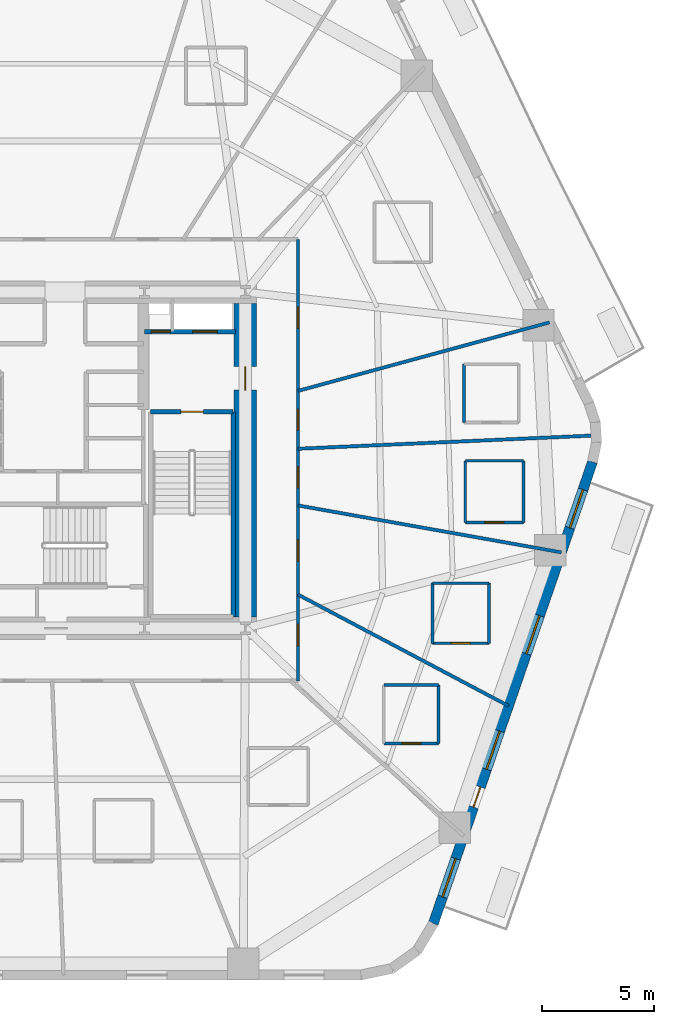
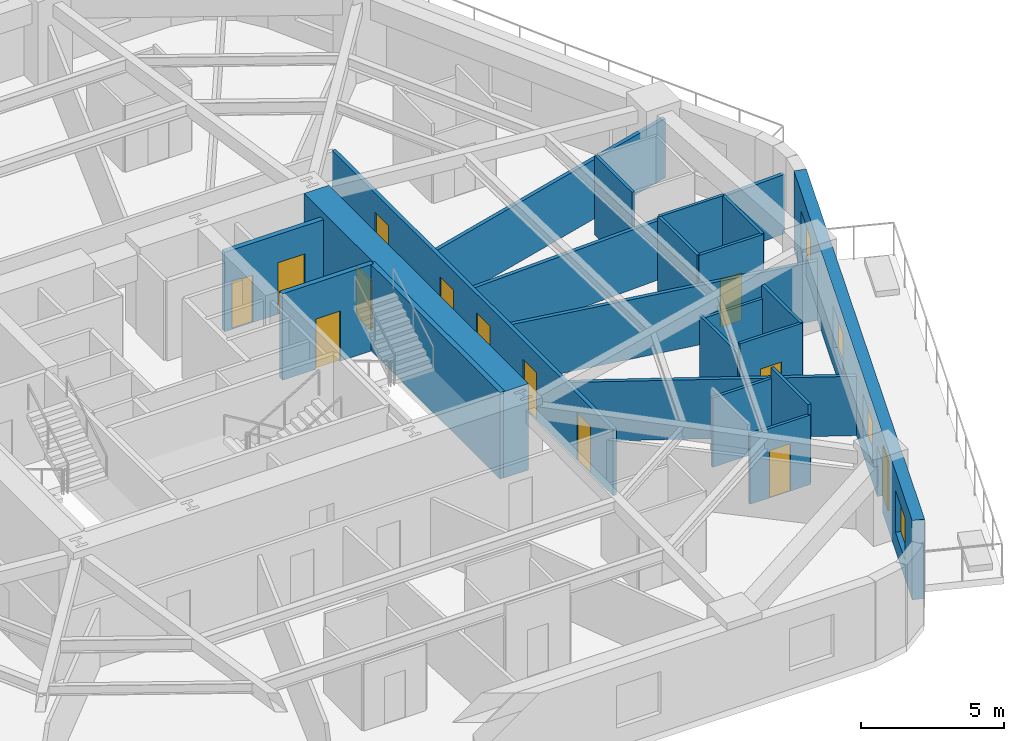
# One storey, part 5 of 10: 22 walls, 13 doors, 4 windows, 17 openings.
"""IFC4 building model written with IfcOpenShell, lengths in metres."""

from ifc_helpers import new_model, si_unit, direction, frame, frame_2d, origin, place, context, subcontext, project, spatial, rectangle, extrude, material, layer, layer_set, type_object, element, fill, save


model = new_model("IFC4")

# Units and contexts
model_context = context("Model", 3, precision=1e-05, world=origin(), true_north=direction((0.0, 1.0)))
body_context = subcontext(model_context, "Body", "Model", "MODEL_VIEW")
ifc_project = project(units=[si_unit("LENGTHUNIT", "METRE"), si_unit("AREAUNIT", "SQUARE_METRE"), si_unit("VOLUMEUNIT", "CUBIC_METRE"), si_unit("PLANEANGLEUNIT", "RADIAN"), si_unit("MASSUNIT", "GRAM", prefix="KILO")], contexts=[model_context])

# Site, building, storey
site_placement = place(None, origin())
site = spatial("IfcSite", under=ifc_project, at=site_placement, CompositionType="ELEMENT")
building_placement = place(site_placement, origin())
building = spatial("IfcBuilding", under=site, at=building_placement, Name="Kilnhurst Terrace Hotel", CompositionType="ELEMENT")
storey_placement = place(building_placement, frame((0.0, 0.0, 45.300048828125)))
storey = spatial("IfcBuildingStorey", under=building, at=storey_placement, Name="L09", CompositionType="ELEMENT", Elevation=45.300048828125)

# Wall, openings, door, windows
ifc_material_1 = material(Name="Precast concrete C40/50", Category="concrete")
ifc_layer_1 = layer(ifc_material_1, 0.449951171875, Name="Precast concrete C40/50")
ifc_layer_set_1 = layer_set([ifc_layer_1], Name="Precast concrete C40/50")
wall_type_1 = type_object("IfcWallType", Name="WL-BRK-450", PredefinedType="SOLIDWALL", material=ifc_layer_set_1)
wall_1_placement = place(storey_placement, frame((17.3896484375, -20.678466796875, 0.0), z_axis=(0.0, 0.0, 1.0), x_axis=(0.326068018294, 0.945346310854, 0.0)))
wall_1 = element("IfcWall", 1, at=wall_1_placement, inside=storey, type_object=wall_type_1, Name="L09 Exterior Brick Facade Wall F2", PredefinedType="SOLIDWALL", context=body_context, shape_type="SweptSolid", body=[
    extrude(rectangle(XDim=21.79296875, YDim=0.449951171875, at=frame_2d((10.896484375, 0.0))), origin(), (0.0, 0.0, 1.0), 3.39990234375),
])
opening_1_placement = place(wall_1_placement, frame((5.492919921875, 0.0, 0.0)))
opening_1 = element("IfcOpeningElement", 2, at=opening_1_placement, cuts=wall_1, Name="Opening BD-950", PredefinedType="OPENING", context=body_context, shape_type="SweptSolid", body=[
    extrude(rectangle(XDim=0.949951171875, YDim=2.14990234375, at=frame_2d((0.47509765625, 1.074951171875))), frame((0.0, 0.23486328125, 0.0), z_axis=(0.0, -1.0, 0.0), x_axis=(1.0, 0.0, 0.0)), (0.0, 0.0, 1.0), 0.469970703125),
])
opening_2_placement = place(wall_1_placement, frame((1.260009765625, 0.0, 0.800048828125)))
opening_2 = element("IfcOpeningElement", 3, at=opening_2_placement, cuts=wall_1, Name="Opening W-01", PredefinedType="OPENING", context=body_context, shape_type="SweptSolid", body=[
    extrude(rectangle(XDim=1.800048828125, YDim=1.800048828125, at=frame_2d((0.89990234375, 0.89990234375))), frame((0.0, 0.23486328125, 0.0), z_axis=(0.0, -1.0, 0.0), x_axis=(1.0, 0.0, 0.0)), (0.0, 0.0, 1.0), 0.469970703125),
])
opening_3_placement = place(wall_1_placement, frame((7.282958984375, 0.0, 0.800048828125)))
opening_3 = element("IfcOpeningElement", 4, at=opening_3_placement, cuts=wall_1, Name="Opening W-01", PredefinedType="OPENING", context=body_context, shape_type="SweptSolid", body=[
    extrude(rectangle(XDim=1.800048828125, YDim=1.800048828125, at=frame_2d((0.89990234375, 0.89990234375))), frame((0.0, 0.23486328125, 0.0), z_axis=(0.0, -1.0, 0.0), x_axis=(1.0, 0.0, 0.0)), (0.0, 0.0, 1.0), 0.469970703125),
])
opening_4_placement = place(wall_1_placement, frame((12.736083984375, 0.0, 0.800048828125)))
opening_4 = element("IfcOpeningElement", 5, at=opening_4_placement, cuts=wall_1, Name="Opening W-01", PredefinedType="OPENING", context=body_context, shape_type="SweptSolid", body=[
    extrude(rectangle(XDim=1.800048828125, YDim=1.800048828125, at=frame_2d((0.89990234375, 0.89990234375))), frame((0.0, 0.23486328125, 0.0), z_axis=(0.0, -1.0, 0.0), x_axis=(1.0, 0.0, 0.0)), (0.0, 0.0, 1.0), 0.469970703125),
])
opening_5_placement = place(wall_1_placement, frame((18.679931640625, 0.0, 0.800048828125)))
opening_5 = element("IfcOpeningElement", 6, at=opening_5_placement, cuts=wall_1, Name="Opening W-01", PredefinedType="OPENING", context=body_context, shape_type="SweptSolid", body=[
    extrude(rectangle(XDim=1.800048828125, YDim=1.800048828125, at=frame_2d((0.89990234375, 0.89990234375))), frame((0.0, 0.23486328125, 0.0), z_axis=(0.0, -1.0, 0.0), x_axis=(1.0, 0.0, 0.0)), (0.0, 0.0, 1.0), 0.469970703125),
])
ifc_material_2 = material(Name="Thermally Broken Bronze Aluminium Alloy 6063-T6 and Laminated Glass", Category="aluminium")
door_type_1 = type_object("IfcDoorType", Name="DR-EXT-BAL-950", OperationType="NOTDEFINED", PredefinedType="DOOR", material=ifc_material_2)
door_1_placement = place(opening_1_placement, origin())
door_1 = element("IfcDoor", 7, at=door_1_placement, inside=storey, type_object=door_type_1, Name="L09 Planted Balcony Door BAL-L1A", OperationType="SINGLE_SWING_RIGHT", OverallHeight=2.14990234375, OverallWidth=0.949951171875, PredefinedType="DOOR", context=body_context, shape_type="SweptSolid", body=[
    extrude(rectangle(XDim=0.949951171875, YDim=2.14990234375, at=frame_2d((0.47509765625, 1.074951171875))), frame((0.0, 0.02490234375, 0.0), z_axis=(0.0, -1.0, 0.0), x_axis=(1.0, 0.0, 0.0)), (0.0, 0.0, 1.0), 0.050048828125),
])
fill(opening_1, door_1)
ifc_material_3 = material(Name="Thermally Broken Bronze Aluminium Alloy 6063-T6 and Low-E Glass", Category="aluminium")
window_type = type_object("IfcWindowType", Name="WIN-1800X1800", PartitioningType="SINGLE_PANEL", PredefinedType="WINDOW", material=ifc_material_3)
window_1_placement = place(opening_2_placement, origin())
window_1 = element("IfcWindow", 8, at=window_1_placement, inside=storey, type_object=window_type, Name="L09 Deep-Set Masonry Window F2.1", OverallHeight=1.800048828125, OverallWidth=1.800048828125, PartitioningType="SINGLE_PANEL", PredefinedType="WINDOW", context=body_context, shape_type="SweptSolid", body=[
    extrude(rectangle(XDim=1.800048828125, YDim=1.800048828125, at=frame_2d((0.89990234375, 0.89990234375))), frame((0.0, 0.030029296875, 0.0), z_axis=(0.0, -1.0, 0.0), x_axis=(1.0, 0.0, 0.0)), (0.0, 0.0, 1.0), 0.06005859375),
])
fill(opening_2, window_1)
window_2_placement = place(opening_3_placement, origin())
window_2 = element("IfcWindow", 9, at=window_2_placement, inside=storey, type_object=window_type, Name="L09 Deep-Set Masonry Window F2.2", OverallHeight=1.800048828125, OverallWidth=1.800048828125, PartitioningType="SINGLE_PANEL", PredefinedType="WINDOW", context=body_context, shape_type="SweptSolid", body=[
    extrude(rectangle(XDim=1.800048828125, YDim=1.800048828125, at=frame_2d((0.89990234375, 0.89990234375))), frame((0.0, 0.030029296875, 0.0), z_axis=(0.0, -1.0, 0.0), x_axis=(1.0, 0.0, 0.0)), (0.0, 0.0, 1.0), 0.06005859375),
])
fill(opening_3, window_2)
window_3_placement = place(opening_4_placement, origin())
window_3 = element("IfcWindow", 10, at=window_3_placement, inside=storey, type_object=window_type, Name="L09 Deep-Set Masonry Window F2.3", OverallHeight=1.800048828125, OverallWidth=1.800048828125, PartitioningType="SINGLE_PANEL", PredefinedType="WINDOW", context=body_context, shape_type="SweptSolid", body=[
    extrude(rectangle(XDim=1.800048828125, YDim=1.800048828125, at=frame_2d((0.89990234375, 0.89990234375))), frame((0.0, 0.030029296875, 0.0), z_axis=(0.0, -1.0, 0.0), x_axis=(1.0, 0.0, 0.0)), (0.0, 0.0, 1.0), 0.06005859375),
])
fill(opening_4, window_3)
window_4_placement = place(opening_5_placement, origin())
window_4 = element("IfcWindow", 11, at=window_4_placement, inside=storey, type_object=window_type, Name="L09 Deep-Set Masonry Window F2.4", OverallHeight=1.800048828125, OverallWidth=1.800048828125, PartitioningType="SINGLE_PANEL", PredefinedType="WINDOW", context=body_context, shape_type="SweptSolid", body=[
    extrude(rectangle(XDim=1.800048828125, YDim=1.800048828125, at=frame_2d((0.89990234375, 0.89990234375))), frame((0.0, 0.030029296875, 0.0), z_axis=(0.0, -1.0, 0.0), x_axis=(1.0, 0.0, 0.0)), (0.0, 0.0, 1.0), 0.06005859375),
])
fill(opening_5, window_4)

# Wall, openings, doors
ifc_material_4 = material(Name="Acoustic Double-Gypsum Corridor Partition Assembly")
ifc_layer_2 = layer(ifc_material_4, 0.14990234375, Name="Acoustic Double-Gypsum Corridor Partition Assembly")
ifc_layer_set_2 = layer_set([ifc_layer_2], Name="Acoustic Double-Gypsum Corridor Partition Assembly")
wall_type_2 = type_object("IfcWallType", Name="WL-COR-150", PredefinedType="PARTITIONING", material=ifc_layer_set_2)
wall_2_placement = place(storey_placement, frame((11.35009765625, 9.85009765625, 0.0), z_axis=(0.0, 0.0, 1.0), x_axis=(0.0, -1.0, 0.0)))
wall_2 = element("IfcWall", 12, at=wall_2_placement, inside=storey, type_object=wall_type_2, Name="L09 Interior Wall WL-L09-COR-03", PredefinedType="PARTITIONING", context=body_context, shape_type="SweptSolid", body=[
    extrude(rectangle(XDim=19.7001953125, YDim=0.14990234375, at=frame_2d((9.85009765625, 0.0))), origin(), (0.0, 0.0, 1.0), 2.83984375),
])
opening_6_placement = place(wall_2_placement, frame((7.571044921875, 0.0, 0.0)))
opening_6 = element("IfcOpeningElement", 13, at=opening_6_placement, cuts=wall_2, Name="Opening D-60B", PredefinedType="OPENING", context=body_context, shape_type="SweptSolid", body=[
    extrude(rectangle(XDim=0.949951171875, YDim=2.030029296875, at=frame_2d((0.47509765625, 1.01513671875))), frame((0.0, 0.0849609375, 0.0), z_axis=(0.0, -1.0, 0.0), x_axis=(1.0, 0.0, 0.0)), (0.0, 0.0, 1.0), 0.169921875),
])
opening_7_placement = place(wall_2_placement, frame((3.02392578125, 0.0, 0.0)))
opening_7 = element("IfcOpeningElement", 14, at=opening_7_placement, cuts=wall_2, Name="Opening D-60B", PredefinedType="OPENING", context=body_context, shape_type="SweptSolid", body=[
    extrude(rectangle(XDim=0.949951171875, YDim=2.030029296875, at=frame_2d((0.47509765625, 1.01513671875))), frame((0.0, 0.0849609375, 0.0), z_axis=(0.0, -1.0, 0.0), x_axis=(1.0, 0.0, 0.0)), (0.0, 0.0, 1.0), 0.169921875),
])
opening_8_placement = place(wall_2_placement, frame((17.180908203125, 0.0, 0.0)))
opening_8 = element("IfcOpeningElement", 15, at=opening_8_placement, cuts=wall_2, Name="Opening D-60B", PredefinedType="OPENING", context=body_context, shape_type="SweptSolid", body=[
    extrude(rectangle(XDim=0.949951171875, YDim=2.030029296875, at=frame_2d((0.47509765625, 1.01513671875))), frame((0.0, 0.0849609375, 0.0), z_axis=(0.0, -1.0, 0.0), x_axis=(1.0, 0.0, 0.0)), (0.0, 0.0, 1.0), 0.169921875),
])
opening_9_placement = place(wall_2_placement, frame((13.403076171875, 0.0, 0.0)))
opening_9 = element("IfcOpeningElement", 16, at=opening_9_placement, cuts=wall_2, Name="Opening D-60B", PredefinedType="OPENING", context=body_context, shape_type="SweptSolid", body=[
    extrude(rectangle(XDim=0.949951171875, YDim=2.030029296875, at=frame_2d((0.47509765625, 1.01513671875))), frame((0.0, 0.0849609375, 0.0), z_axis=(0.0, -1.0, 0.0), x_axis=(1.0, 0.0, 0.0)), (0.0, 0.0, 1.0), 0.169921875),
])
opening_10_placement = place(wall_2_placement, frame((10.134033203125, 0.0, 0.0)))
opening_10 = element("IfcOpeningElement", 17, at=opening_10_placement, cuts=wall_2, Name="Opening D-60B", PredefinedType="OPENING", context=body_context, shape_type="SweptSolid", body=[
    extrude(rectangle(XDim=0.949951171875, YDim=2.030029296875, at=frame_2d((0.47509765625, 1.01513671875))), frame((0.0, 0.0849609375, 0.0), z_axis=(0.0, -1.0, 0.0), x_axis=(1.0, 0.0, 0.0)), (0.0, 0.0, 1.0), 0.169921875),
])
ifc_material_5 = material(Name="Acoustic Walnut Veneer Solid-Core Fire Door")
door_type_2 = type_object("IfcDoorType", Name="DR-FD60-950", OperationType="NOTDEFINED", PredefinedType="DOOR", material=ifc_material_5)
door_2_placement = place(opening_6_placement, origin())
door_2 = element("IfcDoor", 18, at=door_2_placement, inside=storey, type_object=door_type_2, Name="L09 Guest Room Entry Door 1", OperationType="SINGLE_SWING_LEFT", OverallHeight=2.030029296875, OverallWidth=0.949951171875, PredefinedType="DOOR", context=body_context, shape_type="SweptSolid", body=[
    extrude(rectangle(XDim=0.949951171875, YDim=2.030029296875, at=frame_2d((0.47509765625, 1.01513671875))), frame((0.0, 0.02490234375, 0.0), z_axis=(0.0, -1.0, 0.0), x_axis=(1.0, 0.0, 0.0)), (0.0, 0.0, 1.0), 0.050048828125),
])
fill(opening_6, door_2)
door_3_placement = place(opening_7_placement, origin())
door_3 = element("IfcDoor", 19, at=door_3_placement, inside=storey, type_object=door_type_2, Name="L09 Executive Suite Entry Door 2", OperationType="SINGLE_SWING_RIGHT", OverallHeight=2.030029296875, OverallWidth=0.949951171875, PredefinedType="DOOR", context=body_context, shape_type="SweptSolid", body=[
    extrude(rectangle(XDim=0.949951171875, YDim=2.030029296875, at=frame_2d((0.47509765625, 1.01513671875))), frame((0.0, 0.02490234375, 0.0), z_axis=(0.0, -1.0, 0.0), x_axis=(1.0, 0.0, 0.0)), (0.0, 0.0, 1.0), 0.050048828125),
])
fill(opening_7, door_3)
door_4_placement = place(opening_8_placement, origin())
door_4 = element("IfcDoor", 20, at=door_4_placement, inside=storey, type_object=door_type_2, Name="L09 Guest Room Entry Door 17", OperationType="SINGLE_SWING_LEFT", OverallHeight=2.030029296875, OverallWidth=0.949951171875, PredefinedType="DOOR", context=body_context, shape_type="SweptSolid", body=[
    extrude(rectangle(XDim=0.949951171875, YDim=2.030029296875, at=frame_2d((0.47509765625, 1.01513671875))), frame((0.0, 0.02490234375, 0.0), z_axis=(0.0, -1.0, 0.0), x_axis=(1.0, 0.0, 0.0)), (0.0, 0.0, 1.0), 0.050048828125),
])
fill(opening_8, door_4)
door_5_placement = place(opening_9_placement, origin())
door_5 = element("IfcDoor", 21, at=door_5_placement, inside=storey, type_object=door_type_2, Name="L09 Guest Room Entry Door 18", OperationType="SINGLE_SWING_RIGHT", OverallHeight=2.030029296875, OverallWidth=0.949951171875, PredefinedType="DOOR", context=body_context, shape_type="SweptSolid", body=[
    extrude(rectangle(XDim=0.949951171875, YDim=2.030029296875, at=frame_2d((0.47509765625, 1.01513671875))), frame((0.0, 0.02490234375, 0.0), z_axis=(0.0, -1.0, 0.0), x_axis=(1.0, 0.0, 0.0)), (0.0, 0.0, 1.0), 0.050048828125),
])
fill(opening_9, door_5)
door_6_placement = place(opening_10_placement, origin())
door_6 = element("IfcDoor", 22, at=door_6_placement, inside=storey, type_object=door_type_2, Name="L09 Guest Room Entry Door 19", OperationType="SINGLE_SWING_LEFT", OverallHeight=2.030029296875, OverallWidth=0.949951171875, PredefinedType="DOOR", context=body_context, shape_type="SweptSolid", body=[
    extrude(rectangle(XDim=0.949951171875, YDim=2.030029296875, at=frame_2d((0.47509765625, 1.01513671875))), frame((0.0, 0.02490234375, 0.0), z_axis=(0.0, -1.0, 0.0), x_axis=(1.0, 0.0, 0.0)), (0.0, 0.0, 1.0), 0.050048828125),
])
fill(opening_10, door_6)

# Wall, opening, door
ifc_material_6 = material(Name="Concrete C80/95", Category="concrete")
ifc_layer_3 = layer(ifc_material_6, 1.0, Name="Concrete C80/95")
ifc_layer_set_3 = layer_set([ifc_layer_3], Name="Concrete C80/95")
wall_type_3 = type_object("IfcWallType", Name="WL-CORE-1000", PredefinedType="SHEAR", material=ifc_layer_set_3)
wall_3_placement = place(storey_placement, frame((9.0, -7.0, 0.0), z_axis=(0.0, 0.0, 1.0), x_axis=(0.0, 1.0, 0.0)))
wall_3 = element("IfcWall", 23, at=wall_3_placement, inside=storey, type_object=wall_type_3, Name="L09 Core East Shear Wall", PredefinedType="SHEAR", context=body_context, shape_type="SweptSolid", body=[
    extrude(rectangle(XDim=14.0, YDim=1.0, at=frame_2d((7.0, 0.0))), origin(), (0.0, 0.0, 1.0), 3.699951171875),
])
opening_11_placement = place(wall_3_placement, frame((10.125, 0.0, 0.0)))
opening_11 = element("IfcOpeningElement", 24, at=opening_11_placement, cuts=wall_3, Name="Opening D-90A", PredefinedType="OPENING", context=body_context, shape_type="SweptSolid", body=[
    extrude(rectangle(XDim=1.050048828125, YDim=2.14990234375, at=frame_2d((0.52490234375, 1.074951171875))), frame((0.0, 0.510009765625, 0.0), z_axis=(0.0, -1.0, 0.0), x_axis=(1.0, 0.0, 0.0)), (0.0, 0.0, 1.0), 1.02001953125),
])
ifc_material_7 = material(Name="Painted Hollow Metal Steel ASTM A36 Fire Door", Category="steel")
door_type_3 = type_object("IfcDoorType", Name="DR-FD90-1050", OperationType="NOTDEFINED", PredefinedType="DOOR", material=ifc_material_7)
door_7_placement = place(opening_11_placement, origin())
door_7 = element("IfcDoor", 25, at=door_7_placement, inside=storey, type_object=door_type_3, Name="L09 East Firefighting Lobby Door", OperationType="SINGLE_SWING_LEFT", OverallHeight=2.14990234375, OverallWidth=1.050048828125, PredefinedType="DOOR", context=body_context, shape_type="SweptSolid", body=[
    extrude(rectangle(XDim=1.050048828125, YDim=2.14990234375, at=frame_2d((0.52490234375, 1.074951171875))), frame((0.0, 0.02490234375, 0.0), z_axis=(0.0, -1.0, 0.0), x_axis=(1.0, 0.0, 0.0)), (0.0, 0.0, 1.0), 0.050048828125),
])
fill(opening_11, door_7)

# Walls
ifc_material_8 = material(Name="STC-58 Acoustic Twin-Frame Guestroom Demising Partition")
ifc_layer_4 = layer(ifc_material_8, 0.14990234375, Name="STC-58 Acoustic Twin-Frame Guestroom Demising Partition")
ifc_layer_set_4 = layer_set([ifc_layer_4], Name="STC-58 Acoustic Twin-Frame Guestroom Demising Partition")
wall_type_4 = type_object("IfcWallType", Name="WL-DEM-150", PredefinedType="PARTITIONING", material=ifc_layer_set_4)
wall_4_placement = place(storey_placement, frame((11.35009765625, 0.50830078125, 0.0), z_axis=(0.0, 0.0, 1.0), x_axis=(0.998998237556, 0.044749540337, 0.0)))
element("IfcWall", 26, at=wall_4_placement, inside=storey, type_object=wall_type_4, Name="L09 Interior Wall WL-L09-DEM-MID12-01-1", PredefinedType="PARTITIONING", context=body_context, shape_type="SweptSolid", body=[
    extrude(rectangle(XDim=13.1591796875, YDim=0.14990234375, at=frame_2d((6.57958984375, 0.0))), origin(), (0.0, 0.0, 1.0), 2.5400390625),
])
wall_5_placement = place(storey_placement, frame((11.35009765625, 3.0908203125, 0.0), z_axis=(0.0, 0.0, 1.0), x_axis=(0.964859685283, 0.262765651704, 0.0)))
element("IfcWall", 27, at=wall_5_placement, inside=storey, type_object=wall_type_4, Name="L09 Interior Wall WL-L09-DEM-COL01-02-1", PredefinedType="PARTITIONING", context=body_context, shape_type="SweptSolid", body=[
    extrude(rectangle(XDim=11.62890625, YDim=0.14990234375, at=frame_2d((5.814453125, 0.0))), origin(), (0.0, 0.0, 1.0), 2.5400390625),
])
wall_6_placement = place(storey_placement, frame((11.35009765625, -6.00146484375, 0.0), z_axis=(0.0, 0.0, 1.0), x_axis=(0.884022077319, -0.467445148453, 0.0)))
element("IfcWall", 28, at=wall_6_placement, inside=storey, type_object=wall_type_4, Name="L09 Interior Wall WL-L09-DEM-MID11-18-1", PredefinedType="PARTITIONING", context=body_context, shape_type="SweptSolid", body=[
    extrude(rectangle(XDim=10.621337890625, YDim=0.14990234375, at=frame_2d((5.310546875, 0.0))), origin(), (0.0, 0.0, 1.0), 2.5400390625),
])
wall_7_placement = place(storey_placement, frame((11.35009765625, -2.022705078125, 0.0), z_axis=(0.0, 0.0, 1.0), x_axis=(0.984493741877, -0.17541970301, 0.0)))
element("IfcWall", 29, at=wall_7_placement, inside=storey, type_object=wall_type_4, Name="L09 Interior Wall WL-L09-DEM-COL12-19-1", PredefinedType="PARTITIONING", context=body_context, shape_type="SweptSolid", body=[
    extrude(rectangle(XDim=11.93701171875, YDim=0.14990234375, at=frame_2d((5.968505859375, 0.0))), origin(), (0.0, 0.0, 1.0), 2.5400390625),
])
ifc_material_9 = material(Name="120 mm Moisture-Resistant Tile-Backed Bathroom Partition")
ifc_layer_5 = layer(ifc_material_9, 0.1201171875, Name="120 mm Moisture-Resistant Tile-Backed Bathroom Partition")
ifc_layer_set_5 = layer_set([ifc_layer_5], Name="120 mm Moisture-Resistant Tile-Backed Bathroom Partition")
wall_type_5 = type_object("IfcWallType", Name="WL-PART-120", PredefinedType="PARTITIONING", material=ifc_layer_set_5)
wall_8_placement = place(storey_placement, frame((18.760009765625, 4.285888671875, 0.0), z_axis=(0.0, 0.0, 1.0), x_axis=(0.0, -1.0, 0.0)))
element("IfcWall", 30, at=wall_8_placement, inside=storey, type_object=wall_type_5, Name="L09 Interior Wall WL-L09-BTH-01-4", PredefinedType="PARTITIONING", context=body_context, shape_type="SweptSolid", body=[
    extrude(rectangle(XDim=2.60986328125, YDim=0.1201171875, at=frame_2d((1.304931640625, 0.0))), origin(), (0.0, 0.0, 1.0), 3.39990234375),
])

# Wall, opening, door
wall_9_placement = place(storey_placement, frame((15.177978515625, -12.64697265625, 0.0), z_axis=(0.0, 0.0, 1.0), x_axis=(1.0, 0.0, 0.0)))
wall_9 = element("IfcWall", 31, at=wall_9_placement, inside=storey, type_object=wall_type_5, Name="L09 Interior Wall WL-L09-BTH-17-1", PredefinedType="PARTITIONING", context=body_context, shape_type="SweptSolid", body=[
    extrude(rectangle(XDim=2.43994140625, YDim=0.1201171875, at=frame_2d((1.219970703125, 0.0))), origin(), (0.0, 0.0, 1.0), 2.972412109375),
])
opening_12_placement = place(wall_9_placement, frame((0.794921875, 0.0, 0.0)))
opening_12 = element("IfcOpeningElement", 32, at=opening_12_placement, cuts=wall_9, Name="Opening D-08A", PredefinedType="OPENING", context=body_context, shape_type="SweptSolid", body=[
    extrude(rectangle(XDim=0.85009765625, YDim=2.030029296875, at=frame_2d((0.425048828125, 1.01513671875))), frame((0.0, 0.070068359375, 0.0), z_axis=(0.0, -1.0, 0.0), x_axis=(1.0, 0.0, 0.0)), (0.0, 0.0, 1.0), 0.14013671875),
])
ifc_material_10 = material(Name="Moisture-Resistant Lacquered En-suite Bathroom Door")
door_type_4 = type_object("IfcDoorType", Name="DR-INT-850", OperationType="NOTDEFINED", PredefinedType="DOOR", material=ifc_material_10)
door_8_placement = place(opening_12_placement, origin())
door_8 = element("IfcDoor", 33, at=door_8_placement, inside=storey, type_object=door_type_4, Name="L09 En-suite Bathroom Door 17", OperationType="SINGLE_SWING_RIGHT", OverallHeight=2.030029296875, OverallWidth=0.85009765625, PredefinedType="DOOR", context=body_context, shape_type="SweptSolid", body=[
    extrude(rectangle(XDim=0.85009765625, YDim=2.030029296875, at=frame_2d((0.425048828125, 1.01513671875))), frame((0.0, 0.02490234375, 0.0), z_axis=(0.0, -1.0, 0.0), x_axis=(1.0, 0.0, 0.0)), (0.0, 0.0, 1.0), 0.050048828125),
])
fill(opening_12, door_8)

# Walls
wall_10_placement = place(storey_placement, frame((17.617919921875, -12.64697265625, 0.0), z_axis=(0.0, 0.0, 1.0), x_axis=(0.0, 1.0, 0.0)))
element("IfcWall", 34, at=wall_10_placement, inside=storey, type_object=wall_type_5, Name="L09 Interior Wall WL-L09-BTH-17-2", PredefinedType="PARTITIONING", context=body_context, shape_type="SweptSolid", body=[
    extrude(rectangle(XDim=2.60986328125, YDim=0.1201171875, at=frame_2d((1.304931640625, 0.0))), origin(), (0.0, 0.0, 1.0), 3.39990234375),
])
wall_11_placement = place(storey_placement, frame((17.617919921875, -10.037109375, 0.0), z_axis=(0.0, 0.0, 1.0), x_axis=(-1.0, 0.0, 0.0)))
element("IfcWall", 35, at=wall_11_placement, inside=storey, type_object=wall_type_5, Name="L09 Interior Wall WL-L09-BTH-17-3", PredefinedType="PARTITIONING", context=body_context, shape_type="SweptSolid", body=[
    extrude(rectangle(XDim=2.43994140625, YDim=0.1201171875, at=frame_2d((1.219970703125, 0.0))), origin(), (0.0, 0.0, 1.0), 2.972412109375),
])

# Wall, opening, door
wall_12_placement = place(storey_placement, frame((17.35400390625, -8.173095703125, 0.0), z_axis=(0.0, 0.0, 1.0), x_axis=(1.0, 0.0, 0.0)))
wall_12 = element("IfcWall", 36, at=wall_12_placement, inside=storey, type_object=wall_type_5, Name="L09 Interior Wall WL-L09-BTH-18-1", PredefinedType="PARTITIONING", context=body_context, shape_type="SweptSolid", body=[
    extrude(rectangle(XDim=2.52001953125, YDim=0.1201171875, at=frame_2d((1.260009765625, 0.0))), origin(), (0.0, 0.0, 1.0), 3.39990234375),
])
opening_13_placement = place(wall_12_placement, frame((0.8349609375, 0.0, 0.0)))
opening_13 = element("IfcOpeningElement", 37, at=opening_13_placement, cuts=wall_12, Name="Opening D-08A", PredefinedType="OPENING", context=body_context, shape_type="SweptSolid", body=[
    extrude(rectangle(XDim=0.85009765625, YDim=2.030029296875, at=frame_2d((0.425048828125, 1.01513671875))), frame((0.0, 0.070068359375, 0.0), z_axis=(0.0, -1.0, 0.0), x_axis=(1.0, 0.0, 0.0)), (0.0, 0.0, 1.0), 0.14013671875),
])
door_9_placement = place(opening_13_placement, origin())
door_9 = element("IfcDoor", 38, at=door_9_placement, inside=storey, type_object=door_type_4, Name="L09 En-suite Bathroom Door 18", OperationType="SINGLE_SWING_LEFT", OverallHeight=2.030029296875, OverallWidth=0.85009765625, PredefinedType="DOOR", context=body_context, shape_type="SweptSolid", body=[
    extrude(rectangle(XDim=0.85009765625, YDim=2.030029296875, at=frame_2d((0.425048828125, 1.01513671875))), frame((0.0, 0.02490234375, 0.0), z_axis=(0.0, -1.0, 0.0), x_axis=(1.0, 0.0, 0.0)), (0.0, 0.0, 1.0), 0.050048828125),
])
fill(opening_13, door_9)

# Walls
wall_13_placement = place(storey_placement, frame((19.8740234375, -8.173095703125, 0.0), z_axis=(0.0, 0.0, 1.0), x_axis=(0.0, 1.0, 0.0)))
element("IfcWall", 39, at=wall_13_placement, inside=storey, type_object=wall_type_5, Name="L09 Interior Wall WL-L09-BTH-18-2", PredefinedType="PARTITIONING", context=body_context, shape_type="SweptSolid", body=[
    extrude(rectangle(XDim=2.68017578125, YDim=0.1201171875, at=frame_2d((1.340087890625, 0.0))), origin(), (0.0, 0.0, 1.0), 3.39990234375),
])
wall_14_placement = place(storey_placement, frame((19.8740234375, -5.492919921875, 0.0), z_axis=(0.0, 0.0, 1.0), x_axis=(-1.0, 0.0, 0.0)))
element("IfcWall", 40, at=wall_14_placement, inside=storey, type_object=wall_type_5, Name="L09 Interior Wall WL-L09-BTH-18-3", PredefinedType="PARTITIONING", context=body_context, shape_type="SweptSolid", body=[
    extrude(rectangle(XDim=2.52001953125, YDim=0.1201171875, at=frame_2d((1.260009765625, 0.0))), origin(), (0.0, 0.0, 1.0), 2.83984375),
])
wall_15_placement = place(storey_placement, frame((17.35400390625, -5.492919921875, 0.0), z_axis=(0.0, 0.0, 1.0), x_axis=(0.0, -1.0, 0.0)))
element("IfcWall", 41, at=wall_15_placement, inside=storey, type_object=wall_type_5, Name="L09 Interior Wall WL-L09-BTH-18-4", PredefinedType="PARTITIONING", context=body_context, shape_type="SweptSolid", body=[
    extrude(rectangle(XDim=2.68017578125, YDim=0.1201171875, at=frame_2d((1.340087890625, 0.0))), origin(), (0.0, 0.0, 1.0), 2.972412109375),
])

# Wall, opening, door
wall_16_placement = place(storey_placement, frame((18.81396484375, -2.781982421875, 0.0), z_axis=(0.0, 0.0, 1.0), x_axis=(1.0, 0.0, 0.0)))
wall_16 = element("IfcWall", 42, at=wall_16_placement, inside=storey, type_object=wall_type_5, Name="L09 Interior Wall WL-L09-BTH-19-1", PredefinedType="PARTITIONING", context=body_context, shape_type="SweptSolid", body=[
    extrude(rectangle(XDim=2.60009765625, YDim=0.1201171875, at=frame_2d((1.300048828125, 0.0))), origin(), (0.0, 0.0, 1.0), 3.39990234375),
])
opening_14_placement = place(wall_16_placement, frame((0.875, 0.0, 0.0)))
opening_14 = element("IfcOpeningElement", 43, at=opening_14_placement, cuts=wall_16, Name="Opening D-08A", PredefinedType="OPENING", context=body_context, shape_type="SweptSolid", body=[
    extrude(rectangle(XDim=0.85009765625, YDim=2.030029296875, at=frame_2d((0.425048828125, 1.01513671875))), frame((0.0, 0.070068359375, 0.0), z_axis=(0.0, -1.0, 0.0), x_axis=(1.0, 0.0, 0.0)), (0.0, 0.0, 1.0), 0.14013671875),
])
door_10_placement = place(opening_14_placement, origin())
door_10 = element("IfcDoor", 44, at=door_10_placement, inside=storey, type_object=door_type_4, Name="L09 En-suite Bathroom Door 19", OperationType="SINGLE_SWING_RIGHT", OverallHeight=2.030029296875, OverallWidth=0.85009765625, PredefinedType="DOOR", context=body_context, shape_type="SweptSolid", body=[
    extrude(rectangle(XDim=0.85009765625, YDim=2.030029296875, at=frame_2d((0.425048828125, 1.01513671875))), frame((0.0, 0.02490234375, 0.0), z_axis=(0.0, -1.0, 0.0), x_axis=(1.0, 0.0, 0.0)), (0.0, 0.0, 1.0), 0.050048828125),
])
fill(opening_14, door_10)

# Walls
wall_17_placement = place(storey_placement, frame((21.4140625, -2.781982421875, 0.0), z_axis=(0.0, 0.0, 1.0), x_axis=(0.0, 1.0, 0.0)))
element("IfcWall", 45, at=wall_17_placement, inside=storey, type_object=wall_type_5, Name="L09 Interior Wall WL-L09-BTH-19-2", PredefinedType="PARTITIONING", context=body_context, shape_type="SweptSolid", body=[
    extrude(rectangle(XDim=2.75, YDim=0.1201171875, at=frame_2d((1.375, 0.0))), origin(), (0.0, 0.0, 1.0), 3.39990234375),
])
wall_18_placement = place(storey_placement, frame((21.4140625, -0.031982421875, 0.0), z_axis=(0.0, 0.0, 1.0), x_axis=(-1.0, 0.0, 0.0)))
element("IfcWall", 46, at=wall_18_placement, inside=storey, type_object=wall_type_5, Name="L09 Interior Wall WL-L09-BTH-19-3", PredefinedType="PARTITIONING", context=body_context, shape_type="SweptSolid", body=[
    extrude(rectangle(XDim=2.60009765625, YDim=0.1201171875, at=frame_2d((1.300048828125, 0.0))), origin(), (0.0, 0.0, 1.0), 3.39990234375),
])
wall_19_placement = place(storey_placement, frame((18.81396484375, -0.031982421875, 0.0), z_axis=(0.0, 0.0, 1.0), x_axis=(0.0, -1.0, 0.0)))
element("IfcWall", 47, at=wall_19_placement, inside=storey, type_object=wall_type_5, Name="L09 Interior Wall WL-L09-BTH-19-4", PredefinedType="PARTITIONING", context=body_context, shape_type="SweptSolid", body=[
    extrude(rectangle(XDim=2.75, YDim=0.1201171875, at=frame_2d((1.375, 0.0))), origin(), (0.0, 0.0, 1.0), 3.39990234375),
])

# Wall, openings, doors
ifc_material_11 = material(Name="Autoclaved Aerated Concrete C30/37 and Gypsum Shaft Assembly", Category="concrete")
ifc_layer_6 = layer(ifc_material_11, 0.199951171875, Name="Autoclaved Aerated Concrete C30/37 and Gypsum Shaft Assembly")
ifc_layer_set_6 = layer_set([ifc_layer_6], Name="Autoclaved Aerated Concrete C30/37 and Gypsum Shaft Assembly")
wall_type_6 = type_object("IfcWallType", Name="WL-SHAFT-200", PredefinedType="PARTITIONING", material=ifc_layer_set_6)
wall_20_placement = place(storey_placement, frame((4.5, 5.739990234375, 0.0), z_axis=(0.0, 0.0, 1.0), x_axis=(1.0, 0.0, 0.0)))
wall_20 = element("IfcWall", 48, at=wall_20_placement, inside=storey, type_object=wall_type_6, Name="L09 Interior Wall WL-L09-FSAE2-S", PredefinedType="PARTITIONING", context=body_context, shape_type="SweptSolid", body=[
    extrude(rectangle(XDim=4.050048828125, YDim=0.199951171875, at=frame_2d((2.02490234375, 0.0))), origin(), (0.0, 0.0, 1.0), 3.39990234375),
])
opening_15_placement = place(wall_20_placement, frame((0.300048828125, 0.0, 0.0)))
opening_15 = element("IfcOpeningElement", 49, at=opening_15_placement, cuts=wall_20, Name="Opening D-60D", PredefinedType="OPENING", context=body_context, shape_type="SweptSolid", body=[
    extrude(rectangle(XDim=0.85009765625, YDim=2.030029296875, at=frame_2d((0.425048828125, 1.01513671875))), frame((0.0, 0.10986328125, 0.0), z_axis=(0.0, -1.0, 0.0), x_axis=(1.0, 0.0, 0.0)), (0.0, 0.0, 1.0), 0.219970703125),
])
opening_16_placement = place(wall_20_placement, frame((2.14990234375, 0.0, 0.0)))
opening_16 = element("IfcOpeningElement", 50, at=opening_16_placement, cuts=wall_20, Name="Opening LD-F2", PredefinedType="OPENING", context=body_context, shape_type="SweptSolid", body=[
    extrude(rectangle(XDim=1.10009765625, YDim=2.199951171875, at=frame_2d((0.550048828125, 1.10009765625))), frame((0.0, 0.10986328125, 0.0), z_axis=(0.0, -1.0, 0.0), x_axis=(1.0, 0.0, 0.0)), (0.0, 0.0, 1.0), 0.219970703125),
])
ifc_material_12 = material(Name="Painted Hollow Metal Steel ASTM A36 Riser Door", Category="steel")
door_type_5 = type_object("IfcDoorType", Name="DR-FD60-850", OperationType="NOTDEFINED", PredefinedType="DOOR", material=ifc_material_12)
door_11_placement = place(opening_15_placement, origin())
door_11 = element("IfcDoor", 51, at=door_11_placement, inside=storey, type_object=door_type_5, Name="L09 Telecom Riser Door", OperationType="SINGLE_SWING_RIGHT", OverallHeight=2.030029296875, OverallWidth=0.85009765625, PredefinedType="DOOR", context=body_context, shape_type="SweptSolid", body=[
    extrude(rectangle(XDim=0.85009765625, YDim=2.030029296875, at=frame_2d((0.425048828125, 1.01513671875))), frame((0.0, 0.02490234375, 0.0), z_axis=(0.0, -1.0, 0.0), x_axis=(1.0, 0.0, 0.0)), (0.0, 0.0, 1.0), 0.050048828125),
])
fill(opening_15, door_11)
ifc_material_13 = material(Name="Bronze-Anodized Stainless Steel AISI 316L Sliding Door", Category="steel")
door_type_6 = type_object("IfcDoorType", Name="DR-LIFT-1100", OperationType="NOTDEFINED", PredefinedType="DOOR", material=ifc_material_13)
door_12_placement = place(opening_16_placement, origin())
door_12 = element("IfcDoor", 52, at=door_12_placement, inside=storey, type_object=door_type_6, Name="L09 FSAE-2 Landing Door", OperationType="SLIDING_TO_RIGHT", OverallHeight=2.199951171875, OverallWidth=1.10009765625, PredefinedType="DOOR", context=body_context, shape_type="SweptSolid", body=[
    extrude(rectangle(XDim=1.10009765625, YDim=2.199951171875, at=frame_2d((0.550048828125, 1.10009765625))), frame((0.0, 0.02490234375, 0.0), z_axis=(0.0, -1.0, 0.0), x_axis=(1.0, 0.0, 0.0)), (0.0, 0.0, 1.0), 0.050048828125),
])
fill(opening_16, door_12)

# Wall
ifc_material_14 = material(Name="Concrete C50/60", Category="concrete")
ifc_layer_7 = layer(ifc_material_14, 0.199951171875, Name="Concrete C50/60")
ifc_layer_set_7 = layer_set([ifc_layer_7], Name="Concrete C50/60")
wall_type_7 = type_object("IfcWallType", Name="WL-STAIR-RC-200", PredefinedType="SHEAR", material=ifc_layer_set_7)
wall_21_placement = place(storey_placement, frame((8.4580078125, -6.985107421875, 0.0), z_axis=(0.0, 0.0, 1.0), x_axis=(0.0, 1.0, 0.0)))
element("IfcWall", 53, at=wall_21_placement, inside=storey, type_object=wall_type_7, Name="L09 Structural Stair Shaft Wall WL-L09-ST2-E", PredefinedType="SHEAR", context=body_context, shape_type="SweptSolid", body=[
    extrude(rectangle(XDim=9.14306640625, YDim=0.199951171875, at=frame_2d((4.571533203125, 0.0))), origin(), (0.0, 0.0, 1.0), 3.699951171875),
])

# Wall, opening, door
wall_22_placement = place(storey_placement, frame((4.77197265625, 2.157958984375, 0.0), z_axis=(0.0, 0.0, 1.0), x_axis=(1.0, 0.0, 0.0)))
wall_22 = element("IfcWall", 54, at=wall_22_placement, inside=storey, type_object=wall_type_7, Name="L09 Structural Stair Shaft Wall WL-L09-ST2-N", PredefinedType="SHEAR", context=body_context, shape_type="SweptSolid", body=[
    extrude(rectangle(XDim=3.68603515625, YDim=0.199951171875, at=frame_2d((1.843017578125, 0.0))), origin(), (0.0, 0.0, 1.0), 3.699951171875),
])
opening_17_placement = place(wall_22_placement, frame((1.35009765625, 0.0, 0.0)))
opening_17 = element("IfcOpeningElement", 55, at=opening_17_placement, cuts=wall_22, Name="Opening D-90B", PredefinedType="OPENING", context=body_context, shape_type="SweptSolid", body=[
    extrude(rectangle(XDim=1.0, YDim=2.14990234375, at=frame_2d((0.5, 1.074951171875))), frame((0.0, 0.10986328125, 0.0), z_axis=(0.0, -1.0, 0.0), x_axis=(1.0, 0.0, 0.0)), (0.0, 0.0, 1.0), 0.219970703125),
])
door_type_7 = type_object("IfcDoorType", Name="DR-FD90-1000", OperationType="NOTDEFINED", PredefinedType="DOOR", material=ifc_material_7)
door_13_placement = place(opening_17_placement, origin())
door_13 = element("IfcDoor", 56, at=door_13_placement, inside=storey, type_object=door_type_7, Name="L09 Stair ST-2 Door", OperationType="SINGLE_SWING_RIGHT", OverallHeight=2.14990234375, OverallWidth=1.0, PredefinedType="DOOR", context=body_context, shape_type="SweptSolid", body=[
    extrude(rectangle(XDim=1.0, YDim=2.14990234375, at=frame_2d((0.5, 1.074951171875))), frame((0.0, 0.02490234375, 0.0), z_axis=(0.0, -1.0, 0.0), x_axis=(1.0, 0.0, 0.0)), (0.0, 0.0, 1.0), 0.050048828125),
])
fill(opening_17, door_13)

save(model, "model.ifc")
